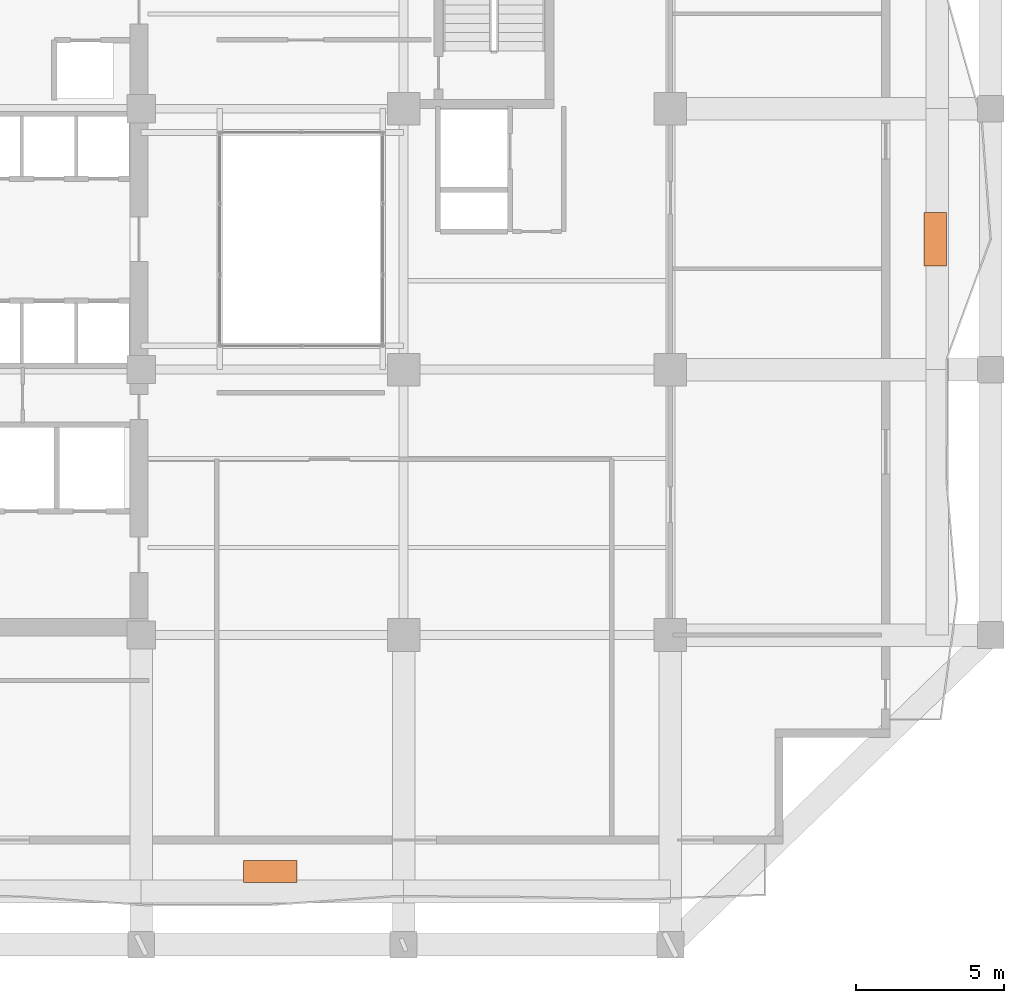
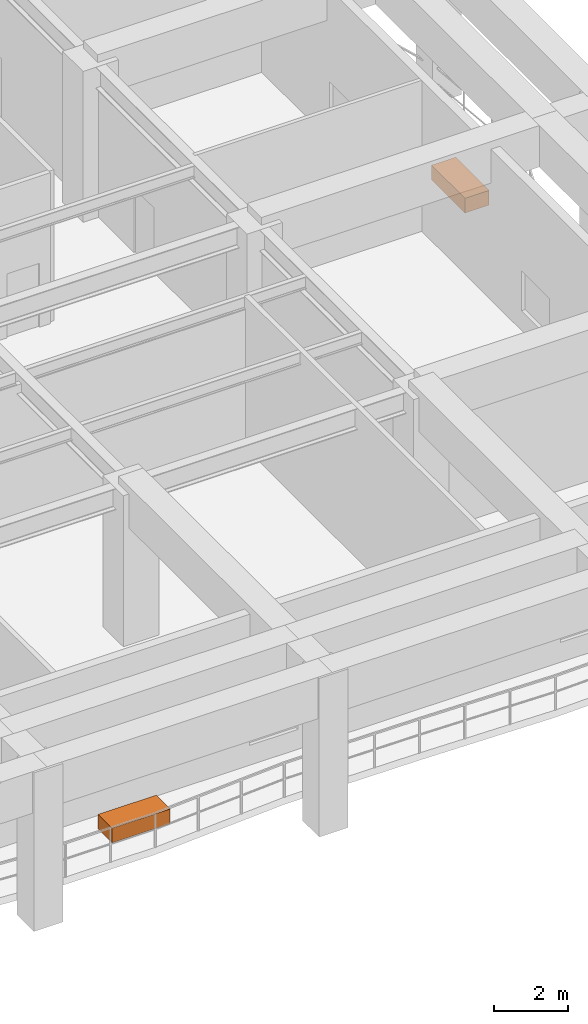
# One storey, part 13 of 13: 2 proxies.
"""IFC4 building model written with IfcOpenShell, lengths in metres."""

from ifc_helpers import new_model, si_unit, direction, frame, origin, origin_2d, place, context, subcontext, project, spatial, rectangle, extrude, material, type_object, element, save


model = new_model("IFC4")

# Units and contexts
model_context = context("Model", 3, precision=1e-05, world=origin(), true_north=direction((0.0, 1.0)))
body_context = subcontext(model_context, "Body", "Model", "MODEL_VIEW")
ifc_project = project(units=[si_unit("LENGTHUNIT", "METRE"), si_unit("AREAUNIT", "SQUARE_METRE"), si_unit("VOLUMEUNIT", "CUBIC_METRE"), si_unit("PLANEANGLEUNIT", "RADIAN"), si_unit("MASSUNIT", "GRAM", prefix="KILO")], contexts=[model_context])

# Site, building, storey
site_placement = place(None, origin())
site = spatial("IfcSite", under=ifc_project, at=site_placement, CompositionType="ELEMENT")
building_placement = place(site_placement, origin())
building = spatial("IfcBuilding", under=site, at=building_placement, Name="Kundavana Baori Tower", CompositionType="ELEMENT")
storey_placement = place(building_placement, frame((0.0, 0.0, 98.800048828125)))
storey = spatial("IfcBuildingStorey", under=building, at=storey_placement, Name="L23", CompositionType="ELEMENT", Elevation=98.800048828125)

# Proxies
ifc_material = material(Name="Red-Buff Dholpur Sandstone Cladding on Concrete C40/50", Category="masonry")
building_element_proxy_type = type_object("IfcBuildingElementProxyType", Name="PRX-PLANTER-1800", PredefinedType="USERDEFINED", material=ifc_material)
for number, where, z_axis, x_axis, name in (
    (1, (29.300048828125, 7.27294921875, 0.0), (0.0, 0.0, 1.0), (1.0, 0.0, 0.0), "L23 Dholpur Stone Structural Tree Planter S"),
    (2, (51.72998046875, 28.60009765625, 0.0), (0.0, 0.0, 1.0), (0.0, 1.0, 0.0), "L23 Dholpur Stone Structural Tree Planter E"),
):
    element("IfcBuildingElementProxy", number, at=place(storey_placement, frame(where, z_axis=z_axis, x_axis=x_axis)), inside=storey, type_object=building_element_proxy_type, Name=name, ObjectType="PLANTER", PredefinedType="USERDEFINED", context=body_context, shape_type="SweptSolid", body=[
        extrude(rectangle(XDim=1.800048828125, YDim=0.75, at=origin_2d()), origin(), (0.0, 0.0, 1.0), 0.47998046875),
    ])

save(model, "model.ifc")
